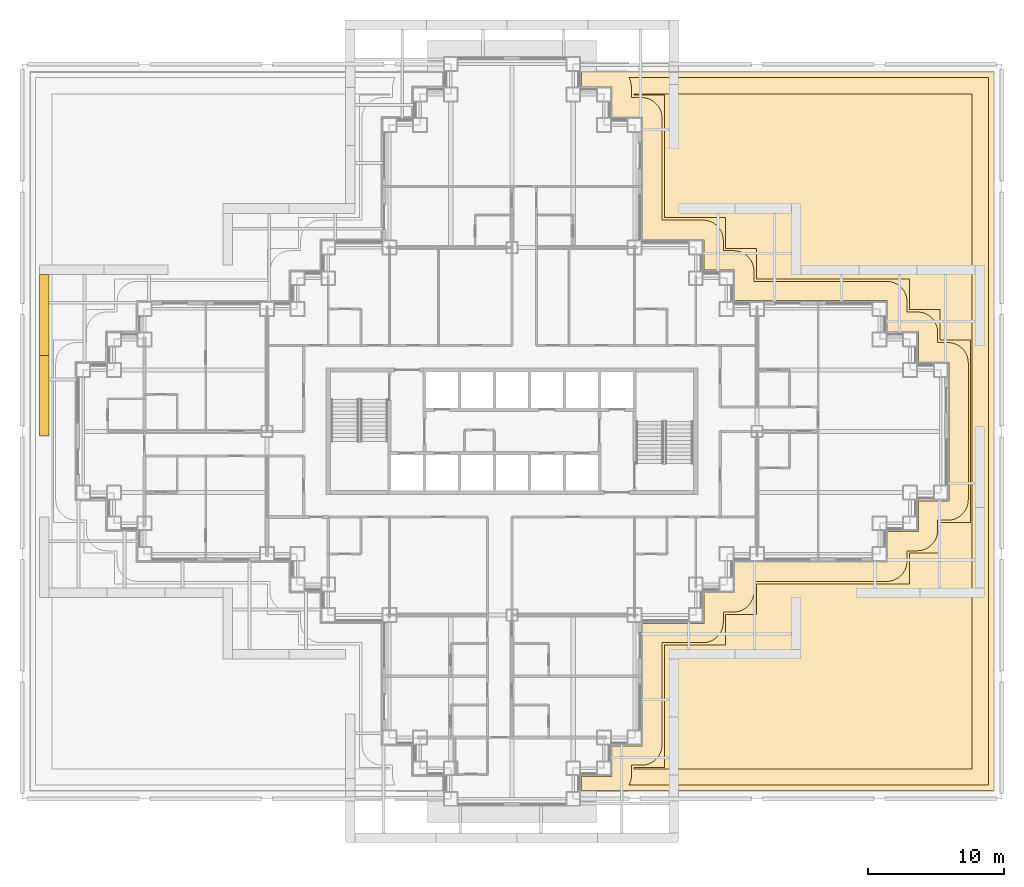
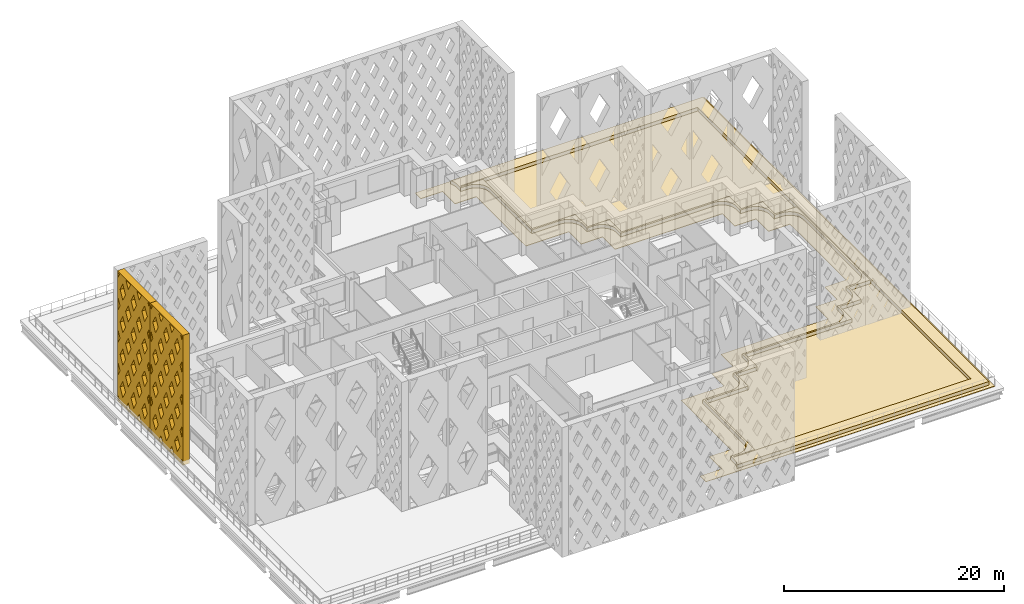
# One storey, part 22 of 26: 3 coverings, 2 shading devices.
"""IFC4 building model written with IfcOpenShell, lengths in metres."""

from ifc_helpers import new_model, si_unit, direction, frame, origin, place, context, subcontext, project, spatial, polyline, outline, extrude, material, layer, layer_set, type_object, element, save


model = new_model("IFC4")

# Units and contexts
model_context = context("Model", 3, precision=1e-05, world=origin(), true_north=direction((0.0, 1.0)))
body_context = subcontext(model_context, "Body", "Model", "MODEL_VIEW")
ifc_project = project(units=[si_unit("LENGTHUNIT", "METRE"), si_unit("AREAUNIT", "SQUARE_METRE"), si_unit("VOLUMEUNIT", "CUBIC_METRE"), si_unit("PLANEANGLEUNIT", "RADIAN"), si_unit("MASSUNIT", "GRAM", prefix="KILO")], contexts=[model_context])

# Site, building, storey
site_placement = place(None, origin())
site = spatial("IfcSite", under=ifc_project, at=site_placement, CompositionType="ELEMENT")
building_placement = place(site_placement, origin())
building = spatial("IfcBuilding", under=site, at=building_placement, Name="Caravel Reach Hotel and Residences", CompositionType="ELEMENT")
storey_placement = place(building_placement, frame((0.0, 0.0, 33.60009765625)))
storey = spatial("IfcBuildingStorey", under=building, at=storey_placement, Name="L06", CompositionType="ELEMENT", Elevation=33.60009765625)

# Shading devices
ifc_material_1 = material(Name="Black powder-coated aluminium", Category="aluminium")
shading_device_type = type_object("IfcShadingDeviceType", Name="Diamond lattice screen panel 5937 x 14400", PredefinedType="USERDEFINED", material=ifc_material_1)
shading_device_1_placement = place(storey_placement, frame((-2.52490234375, 38.52490234375, 0.0), z_axis=(-1.0, 0.0, 0.0), x_axis=(0.0, -1.0, 0.0)))
element("IfcShadingDevice", 1, at=shading_device_1_placement, inside=storey, type_object=shading_device_type, Name="Lattice screen L06-L09 17.1", ObjectType="SCREEN", PredefinedType="USERDEFINED", context=body_context, shape_type="SweptSolid", body=[
    extrude(outline(polyline([(0.0, 0.0), (5.9375, 0.0), (5.9375, 14.39990234375), (0.0, 14.39990234375), (0.0, 0.0)]), holes=[polyline([(0.412353515625, 0.14990234375), (0.14990234375, 0.626953125), (0.14990234375, 0.14990234375), (0.412353515625, 0.14990234375)]), polyline([(0.49462890625, 3.60009765625), (0.14990234375, 4.22705078125), (0.14990234375, 2.972900390625), (0.49462890625, 3.60009765625)]), polyline([(0.49462890625, 7.199951171875), (0.14990234375, 7.826904296875), (0.14990234375, 6.572998046875), (0.49462890625, 7.199951171875)]), polyline([(0.49462890625, 10.800048828125), (0.14990234375, 11.427001953125), (0.14990234375, 10.173095703125), (0.49462890625, 10.800048828125)]), polyline([(0.14990234375, 13.77294921875), (0.412353515625, 14.25), (0.14990234375, 14.25), (0.14990234375, 13.77294921875)]), polyline([(0.989501953125, 2.699951171875), (0.494873046875, 1.800048828125), (0.989501953125, 0.900146484375), (1.484375, 1.800048828125), (0.989501953125, 2.699951171875)]), polyline([(0.989501953125, 6.2998046875), (0.494873046875, 5.39990234375), (0.989501953125, 4.500244140625), (1.484375, 5.39990234375), (0.989501953125, 6.2998046875)]), polyline([(0.989501953125, 9.89990234375), (0.494873046875, 9.0), (0.989501953125, 8.10009765625), (1.484375, 9.0), (0.989501953125, 9.89990234375)]), polyline([(0.989501953125, 13.499755859375), (0.494873046875, 12.60009765625), (0.989501953125, 11.7001953125), (1.484375, 12.60009765625), (0.989501953125, 13.499755859375)]), polyline([(1.979248046875, 0.89990234375), (1.56689453125, 0.14990234375), (2.391357421875, 0.14990234375), (1.979248046875, 0.89990234375)]), polyline([(1.979248046875, 4.499755859375), (1.484375, 3.60009765625), (1.979248046875, 2.7001953125), (2.473876953125, 3.60009765625), (1.979248046875, 4.499755859375)]), polyline([(1.979248046875, 8.099853515625), (1.484375, 7.199951171875), (1.979248046875, 6.300048828125), (2.473876953125, 7.199951171875), (1.979248046875, 8.099853515625)]), polyline([(1.979248046875, 11.699951171875), (1.484375, 10.800048828125), (1.979248046875, 9.900146484375), (2.473876953125, 10.800048828125), (1.979248046875, 11.699951171875)]), polyline([(1.979248046875, 13.500244140625), (2.391357421875, 14.25), (1.56689453125, 14.25), (1.979248046875, 13.500244140625)]), polyline([(2.96875, 2.699951171875), (2.47412109375, 1.800048828125), (2.96875, 0.900146484375), (3.46337890625, 1.800048828125), (2.96875, 2.699951171875)]), polyline([(2.96875, 6.2998046875), (2.47412109375, 5.39990234375), (2.96875, 4.500244140625), (3.46337890625, 5.39990234375), (2.96875, 6.2998046875)]), polyline([(2.96875, 9.89990234375), (2.47412109375, 9.0), (2.96875, 8.10009765625), (3.46337890625, 9.0), (2.96875, 9.89990234375)]), polyline([(2.96875, 13.499755859375), (2.47412109375, 12.60009765625), (2.96875, 11.7001953125), (3.46337890625, 12.60009765625), (2.96875, 13.499755859375)]), polyline([(3.958251953125, 0.89990234375), (3.546142578125, 0.14990234375), (4.37060546875, 0.14990234375), (3.958251953125, 0.89990234375)]), polyline([(3.958251953125, 4.499755859375), (3.463623046875, 3.60009765625), (3.958251953125, 2.7001953125), (4.453125, 3.60009765625), (3.958251953125, 4.499755859375)]), polyline([(3.958251953125, 8.099853515625), (3.463623046875, 7.199951171875), (3.958251953125, 6.300048828125), (4.453125, 7.199951171875), (3.958251953125, 8.099853515625)]), polyline([(3.958251953125, 11.699951171875), (3.463623046875, 10.800048828125), (3.958251953125, 9.900146484375), (4.453125, 10.800048828125), (3.958251953125, 11.699951171875)]), polyline([(3.958251953125, 13.500244140625), (4.37060546875, 14.25), (3.546142578125, 14.25), (3.958251953125, 13.500244140625)]), polyline([(4.947998046875, 2.699951171875), (4.453125, 1.800048828125), (4.947998046875, 0.900146484375), (5.442626953125, 1.800048828125), (4.947998046875, 2.699951171875)]), polyline([(4.947998046875, 6.2998046875), (4.453125, 5.39990234375), (4.947998046875, 4.500244140625), (5.442626953125, 5.39990234375), (4.947998046875, 6.2998046875)]), polyline([(4.947998046875, 9.89990234375), (4.453125, 9.0), (4.947998046875, 8.10009765625), (5.442626953125, 9.0), (4.947998046875, 9.89990234375)]), polyline([(4.947998046875, 13.499755859375), (4.453125, 12.60009765625), (4.947998046875, 11.7001953125), (5.442626953125, 12.60009765625), (4.947998046875, 13.499755859375)]), polyline([(5.78759765625, 0.626953125), (5.525146484375, 0.14990234375), (5.78759765625, 0.14990234375), (5.78759765625, 0.626953125)]), polyline([(5.44287109375, 3.60009765625), (5.78759765625, 2.972900390625), (5.78759765625, 4.22705078125), (5.44287109375, 3.60009765625)]), polyline([(5.44287109375, 7.199951171875), (5.78759765625, 6.572998046875), (5.78759765625, 7.826904296875), (5.44287109375, 7.199951171875)]), polyline([(5.44287109375, 10.800048828125), (5.78759765625, 10.173095703125), (5.78759765625, 11.427001953125), (5.44287109375, 10.800048828125)]), polyline([(5.525146484375, 14.25), (5.78759765625, 13.77294921875), (5.78759765625, 14.25), (5.525146484375, 14.25)])]), origin(), (0.0, 0.0, 1.0), 0.7001953125),
])
shading_device_2_placement = place(storey_placement, frame((-2.52490234375, 32.58740234375, 0.0), z_axis=(-1.0, 0.0, 0.0), x_axis=(0.0, -1.0, 0.0)))
element("IfcShadingDevice", 2, at=shading_device_2_placement, inside=storey, type_object=shading_device_type, Name="Lattice screen L06-L09 17.2", ObjectType="SCREEN", PredefinedType="USERDEFINED", context=body_context, shape_type="SweptSolid", body=[
    extrude(outline(polyline([(0.0, 0.0), (5.9375, 0.0), (5.9375, 14.39990234375), (0.0, 14.39990234375), (0.0, 0.0)]), holes=[polyline([(0.412353515625, 0.14990234375), (0.14990234375, 0.626953125), (0.14990234375, 0.14990234375), (0.412353515625, 0.14990234375)]), polyline([(0.49462890625, 3.60009765625), (0.14990234375, 4.22705078125), (0.14990234375, 2.972900390625), (0.49462890625, 3.60009765625)]), polyline([(0.49462890625, 7.199951171875), (0.14990234375, 7.826904296875), (0.14990234375, 6.572998046875), (0.49462890625, 7.199951171875)]), polyline([(0.49462890625, 10.800048828125), (0.14990234375, 11.427001953125), (0.14990234375, 10.173095703125), (0.49462890625, 10.800048828125)]), polyline([(0.14990234375, 13.77294921875), (0.412353515625, 14.25), (0.14990234375, 14.25), (0.14990234375, 13.77294921875)]), polyline([(0.989501953125, 2.699951171875), (0.494873046875, 1.800048828125), (0.989501953125, 0.900146484375), (1.484375, 1.800048828125), (0.989501953125, 2.699951171875)]), polyline([(0.989501953125, 6.2998046875), (0.494873046875, 5.39990234375), (0.989501953125, 4.500244140625), (1.484375, 5.39990234375), (0.989501953125, 6.2998046875)]), polyline([(0.989501953125, 9.89990234375), (0.494873046875, 9.0), (0.989501953125, 8.10009765625), (1.484375, 9.0), (0.989501953125, 9.89990234375)]), polyline([(0.989501953125, 13.499755859375), (0.494873046875, 12.60009765625), (0.989501953125, 11.7001953125), (1.484375, 12.60009765625), (0.989501953125, 13.499755859375)]), polyline([(1.979248046875, 0.89990234375), (1.56689453125, 0.14990234375), (2.391357421875, 0.14990234375), (1.979248046875, 0.89990234375)]), polyline([(1.979248046875, 4.499755859375), (1.484375, 3.60009765625), (1.979248046875, 2.7001953125), (2.473876953125, 3.60009765625), (1.979248046875, 4.499755859375)]), polyline([(1.979248046875, 8.099853515625), (1.484375, 7.199951171875), (1.979248046875, 6.300048828125), (2.473876953125, 7.199951171875), (1.979248046875, 8.099853515625)]), polyline([(1.979248046875, 11.699951171875), (1.484375, 10.800048828125), (1.979248046875, 9.900146484375), (2.473876953125, 10.800048828125), (1.979248046875, 11.699951171875)]), polyline([(1.979248046875, 13.500244140625), (2.391357421875, 14.25), (1.56689453125, 14.25), (1.979248046875, 13.500244140625)]), polyline([(2.96875, 2.699951171875), (2.47412109375, 1.800048828125), (2.96875, 0.900146484375), (3.46337890625, 1.800048828125), (2.96875, 2.699951171875)]), polyline([(2.96875, 6.2998046875), (2.47412109375, 5.39990234375), (2.96875, 4.500244140625), (3.46337890625, 5.39990234375), (2.96875, 6.2998046875)]), polyline([(2.96875, 9.89990234375), (2.47412109375, 9.0), (2.96875, 8.10009765625), (3.46337890625, 9.0), (2.96875, 9.89990234375)]), polyline([(2.96875, 13.499755859375), (2.47412109375, 12.60009765625), (2.96875, 11.7001953125), (3.46337890625, 12.60009765625), (2.96875, 13.499755859375)]), polyline([(3.958251953125, 0.89990234375), (3.546142578125, 0.14990234375), (4.37060546875, 0.14990234375), (3.958251953125, 0.89990234375)]), polyline([(3.958251953125, 4.499755859375), (3.463623046875, 3.60009765625), (3.958251953125, 2.7001953125), (4.453125, 3.60009765625), (3.958251953125, 4.499755859375)]), polyline([(3.958251953125, 8.099853515625), (3.463623046875, 7.199951171875), (3.958251953125, 6.300048828125), (4.453125, 7.199951171875), (3.958251953125, 8.099853515625)]), polyline([(3.958251953125, 11.699951171875), (3.463623046875, 10.800048828125), (3.958251953125, 9.900146484375), (4.453125, 10.800048828125), (3.958251953125, 11.699951171875)]), polyline([(3.958251953125, 13.500244140625), (4.37060546875, 14.25), (3.546142578125, 14.25), (3.958251953125, 13.500244140625)]), polyline([(4.947998046875, 2.699951171875), (4.453125, 1.800048828125), (4.947998046875, 0.900146484375), (5.442626953125, 1.800048828125), (4.947998046875, 2.699951171875)]), polyline([(4.947998046875, 6.2998046875), (4.453125, 5.39990234375), (4.947998046875, 4.500244140625), (5.442626953125, 5.39990234375), (4.947998046875, 6.2998046875)]), polyline([(4.947998046875, 9.89990234375), (4.453125, 9.0), (4.947998046875, 8.10009765625), (5.442626953125, 9.0), (4.947998046875, 9.89990234375)]), polyline([(4.947998046875, 13.499755859375), (4.453125, 12.60009765625), (4.947998046875, 11.7001953125), (5.442626953125, 12.60009765625), (4.947998046875, 13.499755859375)]), polyline([(5.78759765625, 0.626953125), (5.525146484375, 0.14990234375), (5.78759765625, 0.14990234375), (5.78759765625, 0.626953125)]), polyline([(5.44287109375, 3.60009765625), (5.78759765625, 2.972900390625), (5.78759765625, 4.22705078125), (5.44287109375, 3.60009765625)]), polyline([(5.44287109375, 7.199951171875), (5.78759765625, 6.572998046875), (5.78759765625, 7.826904296875), (5.44287109375, 7.199951171875)]), polyline([(5.44287109375, 10.800048828125), (5.78759765625, 10.173095703125), (5.78759765625, 11.427001953125), (5.44287109375, 10.800048828125)]), polyline([(5.525146484375, 14.25), (5.78759765625, 13.77294921875), (5.78759765625, 14.25), (5.525146484375, 14.25)])]), origin(), (0.0, 0.0, 1.0), 0.7001953125),
])

# Coverings
ifc_material_2 = material(Name="Planting soil in aluminium planter", Category="aluminium")
covering_type_1 = type_object("IfcCoveringType", Name="PL1 Planter bed 1200", PredefinedType="USERDEFINED", material=ifc_material_2)
covering_1_placement = place(storey_placement, origin())
element("IfcCovering", 3, at=covering_1_placement, inside=storey, type_object=covering_type_1, Name="Planter podium terrace 1.1", ObjectType="PLANTER", PredefinedType="USERDEFINED", context=body_context, shape_type="SweptSolid", body=[
    extrude(outline(polyline([(40.087158203125, 1.0), (66.5, 1.0), (66.5, 53.0), (40.087158203125, 53.0), (40.097900390625, 52.982177734375), (40.160888671875, 52.84912109375), (40.21044921875, 52.71044921875), (40.24609375, 52.567626953125), (40.267822265625, 52.422119140625), (40.27490234375, 52.27490234375), (40.27490234375, 51.52490234375), (41.02490234375, 51.52490234375), (41.172119140625, 51.517822265625), (41.317626953125, 51.49609375), (41.46044921875, 51.46044921875), (41.59912109375, 51.410888671875), (41.732177734375, 51.347900390625), (41.8583984375, 51.272216796875), (41.9765625, 51.1845703125), (42.085693359375, 51.085693359375), (42.1845703125, 50.9765625), (42.272216796875, 50.8583984375), (42.347900390625, 50.732177734375), (42.410888671875, 50.59912109375), (42.46044921875, 50.46044921875), (42.49609375, 50.317626953125), (42.517822265625, 50.172119140625), (42.52490234375, 50.02490234375), (42.52490234375, 42.52490234375), (45.52490234375, 42.52490234375), (45.672119140625, 42.517822265625), (45.817626953125, 42.49609375), (45.96044921875, 42.46044921875), (46.09912109375, 42.410888671875), (46.232177734375, 42.347900390625), (46.3583984375, 42.272216796875), (46.4765625, 42.1845703125), (46.585693359375, 42.085693359375), (46.6845703125, 41.9765625), (46.772216796875, 41.8583984375), (46.847900390625, 41.732177734375), (46.910888671875, 41.59912109375), (46.96044921875, 41.46044921875), (46.99609375, 41.317626953125), (47.017822265625, 41.172119140625), (47.02490234375, 41.02490234375), (47.02490234375, 40.27490234375), (47.77490234375, 40.27490234375), (47.922119140625, 40.267822265625), (48.067626953125, 40.24609375), (48.21044921875, 40.21044921875), (48.34912109375, 40.160888671875), (48.482177734375, 40.097900390625), (48.6083984375, 40.022216796875), (48.7265625, 39.9345703125), (48.835693359375, 39.835693359375), (48.9345703125, 39.7265625), (49.022216796875, 39.6083984375), (49.097900390625, 39.482177734375), (49.160888671875, 39.34912109375), (49.21044921875, 39.21044921875), (49.24609375, 39.067626953125), (49.267822265625, 38.922119140625), (49.27490234375, 38.77490234375), (49.27490234375, 38.02490234375), (59.02490234375, 38.02490234375), (59.172119140625, 38.017822265625), (59.317626953125, 37.99609375), (59.46044921875, 37.96044921875), (59.59912109375, 37.910888671875), (59.732177734375, 37.847900390625), (59.8583984375, 37.772216796875), (59.9765625, 37.6845703125), (60.085693359375, 37.585693359375), (60.1845703125, 37.4765625), (60.272216796875, 37.3583984375), (60.347900390625, 37.232177734375), (60.410888671875, 37.09912109375), (60.46044921875, 36.96044921875), (60.49609375, 36.817626953125), (60.517822265625, 36.672119140625), (60.52490234375, 36.52490234375), (60.52490234375, 35.77490234375), (61.27490234375, 35.77490234375), (61.422119140625, 35.767822265625), (61.567626953125, 35.74609375), (61.71044921875, 35.71044921875), (61.84912109375, 35.660888671875), (61.982177734375, 35.597900390625), (62.1083984375, 35.522216796875), (62.2265625, 35.4345703125), (62.335693359375, 35.335693359375), (62.4345703125, 35.2265625), (62.522216796875, 35.1083984375), (62.597900390625, 34.982177734375), (62.660888671875, 34.84912109375), (62.71044921875, 34.71044921875), (62.74609375, 34.567626953125), (62.767822265625, 34.422119140625), (62.77490234375, 34.27490234375), (62.77490234375, 33.52490234375), (63.52490234375, 33.52490234375), (63.672119140625, 33.517822265625), (63.817626953125, 33.49609375), (63.96044921875, 33.46044921875), (64.09912109375, 33.410888671875), (64.232177734375, 33.347900390625), (64.3583984375, 33.272216796875), (64.4765625, 33.1845703125), (64.585693359375, 33.085693359375), (64.6845703125, 32.9765625), (64.772216796875, 32.8583984375), (64.847900390625, 32.732177734375), (64.910888671875, 32.59912109375), (64.96044921875, 32.46044921875), (64.99609375, 32.317626953125), (65.017822265625, 32.172119140625), (65.02490234375, 32.02490234375), (65.02490234375, 21.97509765625), (65.017822265625, 21.827880859375), (64.99609375, 21.682373046875), (64.96044921875, 21.53955078125), (64.910888671875, 21.40087890625), (64.847900390625, 21.267822265625), (64.772216796875, 21.1416015625), (64.6845703125, 21.0234375), (64.585693359375, 20.914306640625), (64.4765625, 20.8154296875), (64.3583984375, 20.727783203125), (64.232177734375, 20.652099609375), (64.09912109375, 20.589111328125), (63.96044921875, 20.53955078125), (63.817626953125, 20.50390625), (63.672119140625, 20.482177734375), (63.52490234375, 20.47509765625), (62.77490234375, 20.47509765625), (62.77490234375, 19.72509765625), (62.767822265625, 19.577880859375), (62.74609375, 19.432373046875), (62.71044921875, 19.28955078125), (62.660888671875, 19.15087890625), (62.597900390625, 19.017822265625), (62.522216796875, 18.8916015625), (62.4345703125, 18.7734375), (62.335693359375, 18.664306640625), (62.2265625, 18.5654296875), (62.1083984375, 18.477783203125), (61.982177734375, 18.402099609375), (61.84912109375, 18.339111328125), (61.71044921875, 18.28955078125), (61.567626953125, 18.25390625), (61.422119140625, 18.232177734375), (61.27490234375, 18.22509765625), (60.52490234375, 18.22509765625), (60.52490234375, 17.47509765625), (60.517822265625, 17.327880859375), (60.49609375, 17.182373046875), (60.46044921875, 17.03955078125), (60.410888671875, 16.90087890625), (60.347900390625, 16.767822265625), (60.272216796875, 16.6416015625), (60.1845703125, 16.5234375), (60.085693359375, 16.414306640625), (59.9765625, 16.3154296875), (59.8583984375, 16.227783203125), (59.732177734375, 16.152099609375), (59.59912109375, 16.089111328125), (59.46044921875, 16.03955078125), (59.317626953125, 16.00390625), (59.172119140625, 15.982177734375), (59.02490234375, 15.97509765625), (49.27490234375, 15.97509765625), (49.27490234375, 15.22509765625), (49.267822265625, 15.077880859375), (49.24609375, 14.932373046875), (49.21044921875, 14.78955078125), (49.160888671875, 14.65087890625), (49.097900390625, 14.517822265625), (49.022216796875, 14.3916015625), (48.9345703125, 14.2734375), (48.835693359375, 14.164306640625), (48.7265625, 14.0654296875), (48.6083984375, 13.977783203125), (48.482177734375, 13.902099609375), (48.34912109375, 13.839111328125), (48.21044921875, 13.78955078125), (48.067626953125, 13.75390625), (47.922119140625, 13.732177734375), (47.77490234375, 13.72509765625), (47.02490234375, 13.72509765625), (47.02490234375, 12.97509765625), (47.017822265625, 12.827880859375), (46.99609375, 12.682373046875), (46.96044921875, 12.53955078125), (46.910888671875, 12.40087890625), (46.847900390625, 12.267822265625), (46.772216796875, 12.1416015625), (46.6845703125, 12.0234375), (46.585693359375, 11.914306640625), (46.4765625, 11.8154296875), (46.3583984375, 11.727783203125), (46.232177734375, 11.652099609375), (46.09912109375, 11.589111328125), (45.96044921875, 11.53955078125), (45.817626953125, 11.50390625), (45.672119140625, 11.482177734375), (45.52490234375, 11.47509765625), (42.52490234375, 11.47509765625), (42.52490234375, 3.97509765625), (42.517822265625, 3.827880859375), (42.49609375, 3.682373046875), (42.46044921875, 3.53955078125), (42.410888671875, 3.40087890625), (42.347900390625, 3.267822265625), (42.272216796875, 3.1416015625), (42.1845703125, 3.0234375), (42.085693359375, 2.914306640625), (41.9765625, 2.8154296875), (41.8583984375, 2.727783203125), (41.732177734375, 2.652099609375), (41.59912109375, 2.589111328125), (41.46044921875, 2.53955078125), (41.317626953125, 2.50390625), (41.172119140625, 2.482177734375), (41.02490234375, 2.47509765625), (40.27490234375, 2.47509765625), (40.27490234375, 1.72509765625), (40.267822265625, 1.577880859375), (40.24609375, 1.432373046875), (40.21044921875, 1.28955078125), (40.160888671875, 1.15087890625), (40.097900390625, 1.017822265625), (40.087158203125, 1.0)]), holes=[polyline([(65.300048828125, 51.800048828125), (65.300048828125, 2.199951171875), (40.449951171875, 2.199951171875), (40.449951171875, 2.300048828125), (42.699951171875, 2.300048828125), (42.699951171875, 11.300048828125), (47.199951171875, 11.300048828125), (47.199951171875, 13.550048828125), (49.449951171875, 13.550048828125), (49.449951171875, 15.800048828125), (60.699951171875, 15.800048828125), (60.699951171875, 18.050048828125), (62.949951171875, 18.050048828125), (62.949951171875, 20.300048828125), (65.199951171875, 20.300048828125), (65.199951171875, 33.699951171875), (62.949951171875, 33.699951171875), (62.949951171875, 35.949951171875), (60.699951171875, 35.949951171875), (60.699951171875, 38.199951171875), (49.449951171875, 38.199951171875), (49.449951171875, 40.449951171875), (47.199951171875, 40.449951171875), (47.199951171875, 42.699951171875), (42.699951171875, 42.699951171875), (42.699951171875, 51.699951171875), (40.449951171875, 51.699951171875), (40.449951171875, 51.800048828125), (65.300048828125, 51.800048828125)])]), origin(), (0.0, 0.0, 1.0), 0.449951171875),
])
ifc_material_3 = material(Name="Porcelain paving")
ifc_layer = layer(ifc_material_3, 0.050048828125)
ifc_layer_set = layer_set([ifc_layer], Name="TF1 Terrace paving finish 50")
covering_type_2 = type_object("IfcCoveringType", Name="TF1 Terrace paving finish 50", PredefinedType="FLOORING", material=ifc_layer_set)
covering_2_placement = place(storey_placement, origin())
element("IfcCovering", 4, at=covering_2_placement, inside=storey, type_object=covering_type_2, Name="Podium terrace paving 1.1", PredefinedType="FLOORING", context=body_context, shape_type="SweptSolid", body=[
    extrude(outline(polyline([(66.89990234375, 0.60009765625), (66.89990234375, 53.39990234375), (36.60009765625, 53.39990234375), (36.60009765625, 52.35009765625), (38.85009765625, 52.35009765625), (38.85009765625, 50.10009765625), (41.10009765625, 50.10009765625), (41.10009765625, 41.10009765625), (45.60009765625, 41.10009765625), (45.60009765625, 38.85009765625), (47.85009765625, 38.85009765625), (47.85009765625, 36.60009765625), (59.10009765625, 36.60009765625), (59.10009765625, 34.35009765625), (61.35009765625, 34.35009765625), (61.35009765625, 32.10009765625), (63.60009765625, 32.10009765625), (63.60009765625, 21.89990234375), (61.35009765625, 21.89990234375), (61.35009765625, 19.64990234375), (59.10009765625, 19.64990234375), (59.10009765625, 17.39990234375), (47.85009765625, 17.39990234375), (47.85009765625, 15.14990234375), (45.60009765625, 15.14990234375), (45.60009765625, 12.89990234375), (41.10009765625, 12.89990234375), (41.10009765625, 3.89990234375), (38.85009765625, 3.89990234375), (38.85009765625, 1.64990234375), (36.60009765625, 1.64990234375), (36.60009765625, 0.60009765625), (66.89990234375, 0.60009765625)]), holes=[polyline([(66.5, 1.0), (40.087158203125, 1.0), (40.097900390625, 1.017822265625), (40.160888671875, 1.15087890625), (40.21044921875, 1.28955078125), (40.24609375, 1.432373046875), (40.267822265625, 1.577880859375), (40.27490234375, 1.72509765625), (40.27490234375, 2.47509765625), (41.02490234375, 2.47509765625), (41.172119140625, 2.482177734375), (41.317626953125, 2.50390625), (41.46044921875, 2.53955078125), (41.59912109375, 2.589111328125), (41.732177734375, 2.652099609375), (41.8583984375, 2.727783203125), (41.9765625, 2.8154296875), (42.085693359375, 2.914306640625), (42.1845703125, 3.0234375), (42.272216796875, 3.1416015625), (42.347900390625, 3.267822265625), (42.410888671875, 3.40087890625), (42.46044921875, 3.53955078125), (42.49609375, 3.682373046875), (42.517822265625, 3.827880859375), (42.52490234375, 3.97509765625), (42.52490234375, 11.47509765625), (45.52490234375, 11.47509765625), (45.672119140625, 11.482177734375), (45.817626953125, 11.50390625), (45.96044921875, 11.53955078125), (46.09912109375, 11.589111328125), (46.232177734375, 11.652099609375), (46.3583984375, 11.727783203125), (46.4765625, 11.8154296875), (46.585693359375, 11.914306640625), (46.6845703125, 12.0234375), (46.772216796875, 12.1416015625), (46.847900390625, 12.267822265625), (46.910888671875, 12.40087890625), (46.96044921875, 12.53955078125), (46.99609375, 12.682373046875), (47.017822265625, 12.827880859375), (47.02490234375, 12.97509765625), (47.02490234375, 13.72509765625), (47.77490234375, 13.72509765625), (47.922119140625, 13.732177734375), (48.067626953125, 13.75390625), (48.21044921875, 13.78955078125), (48.34912109375, 13.839111328125), (48.482177734375, 13.902099609375), (48.6083984375, 13.977783203125), (48.7265625, 14.0654296875), (48.835693359375, 14.164306640625), (48.9345703125, 14.2734375), (49.022216796875, 14.3916015625), (49.097900390625, 14.517822265625), (49.160888671875, 14.65087890625), (49.21044921875, 14.78955078125), (49.24609375, 14.932373046875), (49.267822265625, 15.077880859375), (49.27490234375, 15.22509765625), (49.27490234375, 15.97509765625), (59.02490234375, 15.97509765625), (59.172119140625, 15.982177734375), (59.317626953125, 16.00390625), (59.46044921875, 16.03955078125), (59.59912109375, 16.089111328125), (59.732177734375, 16.152099609375), (59.8583984375, 16.227783203125), (59.9765625, 16.3154296875), (60.085693359375, 16.414306640625), (60.1845703125, 16.5234375), (60.272216796875, 16.6416015625), (60.347900390625, 16.767822265625), (60.410888671875, 16.90087890625), (60.46044921875, 17.03955078125), (60.49609375, 17.182373046875), (60.517822265625, 17.327880859375), (60.52490234375, 17.47509765625), (60.52490234375, 18.22509765625), (61.27490234375, 18.22509765625), (61.422119140625, 18.232177734375), (61.567626953125, 18.25390625), (61.71044921875, 18.28955078125), (61.84912109375, 18.339111328125), (61.982177734375, 18.402099609375), (62.1083984375, 18.477783203125), (62.2265625, 18.5654296875), (62.335693359375, 18.664306640625), (62.4345703125, 18.7734375), (62.522216796875, 18.8916015625), (62.597900390625, 19.017822265625), (62.660888671875, 19.15087890625), (62.71044921875, 19.28955078125), (62.74609375, 19.432373046875), (62.767822265625, 19.577880859375), (62.77490234375, 19.72509765625), (62.77490234375, 20.47509765625), (63.52490234375, 20.47509765625), (63.672119140625, 20.482177734375), (63.817626953125, 20.50390625), (63.96044921875, 20.53955078125), (64.09912109375, 20.589111328125), (64.232177734375, 20.652099609375), (64.3583984375, 20.727783203125), (64.4765625, 20.8154296875), (64.585693359375, 20.914306640625), (64.6845703125, 21.0234375), (64.772216796875, 21.1416015625), (64.847900390625, 21.267822265625), (64.910888671875, 21.40087890625), (64.96044921875, 21.53955078125), (64.99609375, 21.682373046875), (65.017822265625, 21.827880859375), (65.02490234375, 21.97509765625), (65.02490234375, 32.02490234375), (65.017822265625, 32.172119140625), (64.99609375, 32.317626953125), (64.96044921875, 32.46044921875), (64.910888671875, 32.59912109375), (64.847900390625, 32.732177734375), (64.772216796875, 32.8583984375), (64.6845703125, 32.9765625), (64.585693359375, 33.085693359375), (64.4765625, 33.1845703125), (64.3583984375, 33.272216796875), (64.232177734375, 33.347900390625), (64.09912109375, 33.410888671875), (63.96044921875, 33.46044921875), (63.817626953125, 33.49609375), (63.672119140625, 33.517822265625), (63.52490234375, 33.52490234375), (62.77490234375, 33.52490234375), (62.77490234375, 34.27490234375), (62.767822265625, 34.422119140625), (62.74609375, 34.567626953125), (62.71044921875, 34.71044921875), (62.660888671875, 34.84912109375), (62.597900390625, 34.982177734375), (62.522216796875, 35.1083984375), (62.4345703125, 35.2265625), (62.335693359375, 35.335693359375), (62.2265625, 35.4345703125), (62.1083984375, 35.522216796875), (61.982177734375, 35.597900390625), (61.84912109375, 35.660888671875), (61.71044921875, 35.71044921875), (61.567626953125, 35.74609375), (61.422119140625, 35.767822265625), (61.27490234375, 35.77490234375), (60.52490234375, 35.77490234375), (60.52490234375, 36.52490234375), (60.517822265625, 36.672119140625), (60.49609375, 36.817626953125), (60.46044921875, 36.96044921875), (60.410888671875, 37.09912109375), (60.347900390625, 37.232177734375), (60.272216796875, 37.3583984375), (60.1845703125, 37.4765625), (60.085693359375, 37.585693359375), (59.9765625, 37.6845703125), (59.8583984375, 37.772216796875), (59.732177734375, 37.847900390625), (59.59912109375, 37.910888671875), (59.46044921875, 37.96044921875), (59.317626953125, 37.99609375), (59.172119140625, 38.017822265625), (59.02490234375, 38.02490234375), (49.27490234375, 38.02490234375), (49.27490234375, 38.77490234375), (49.267822265625, 38.922119140625), (49.24609375, 39.067626953125), (49.21044921875, 39.21044921875), (49.160888671875, 39.34912109375), (49.097900390625, 39.482177734375), (49.022216796875, 39.6083984375), (48.9345703125, 39.7265625), (48.835693359375, 39.835693359375), (48.7265625, 39.9345703125), (48.6083984375, 40.022216796875), (48.482177734375, 40.097900390625), (48.34912109375, 40.160888671875), (48.21044921875, 40.21044921875), (48.067626953125, 40.24609375), (47.922119140625, 40.267822265625), (47.77490234375, 40.27490234375), (47.02490234375, 40.27490234375), (47.02490234375, 41.02490234375), (47.017822265625, 41.172119140625), (46.99609375, 41.317626953125), (46.96044921875, 41.46044921875), (46.910888671875, 41.59912109375), (46.847900390625, 41.732177734375), (46.772216796875, 41.8583984375), (46.6845703125, 41.9765625), (46.585693359375, 42.085693359375), (46.4765625, 42.1845703125), (46.3583984375, 42.272216796875), (46.232177734375, 42.347900390625), (46.09912109375, 42.410888671875), (45.96044921875, 42.46044921875), (45.817626953125, 42.49609375), (45.672119140625, 42.517822265625), (45.52490234375, 42.52490234375), (42.52490234375, 42.52490234375), (42.52490234375, 50.02490234375), (42.517822265625, 50.172119140625), (42.49609375, 50.317626953125), (42.46044921875, 50.46044921875), (42.410888671875, 50.59912109375), (42.347900390625, 50.732177734375), (42.272216796875, 50.8583984375), (42.1845703125, 50.9765625), (42.085693359375, 51.085693359375), (41.9765625, 51.1845703125), (41.8583984375, 51.272216796875), (41.732177734375, 51.347900390625), (41.59912109375, 51.410888671875), (41.46044921875, 51.46044921875), (41.317626953125, 51.49609375), (41.172119140625, 51.517822265625), (41.02490234375, 51.52490234375), (40.27490234375, 51.52490234375), (40.27490234375, 52.27490234375), (40.267822265625, 52.422119140625), (40.24609375, 52.567626953125), (40.21044921875, 52.71044921875), (40.160888671875, 52.84912109375), (40.097900390625, 52.982177734375), (40.087158203125, 53.0), (66.5, 53.0), (66.5, 1.0)])]), origin(), (0.0, 0.0, 1.0), 0.0498046875),
])
covering_3_placement = place(storey_placement, origin())
element("IfcCovering", 5, at=covering_3_placement, inside=storey, type_object=covering_type_2, Name="Podium terrace paving 1.2", PredefinedType="FLOORING", context=body_context, shape_type="SweptSolid", body=[
    extrude(outline(polyline([(65.300048828125, 2.199951171875), (65.300048828125, 51.800048828125), (40.449951171875, 51.800048828125), (40.449951171875, 51.699951171875), (42.699951171875, 51.699951171875), (42.699951171875, 42.699951171875), (47.199951171875, 42.699951171875), (47.199951171875, 40.449951171875), (49.449951171875, 40.449951171875), (49.449951171875, 38.199951171875), (60.699951171875, 38.199951171875), (60.699951171875, 35.949951171875), (62.949951171875, 35.949951171875), (62.949951171875, 33.699951171875), (65.199951171875, 33.699951171875), (65.199951171875, 20.300048828125), (62.949951171875, 20.300048828125), (62.949951171875, 18.050048828125), (60.699951171875, 18.050048828125), (60.699951171875, 15.800048828125), (49.449951171875, 15.800048828125), (49.449951171875, 13.550048828125), (47.199951171875, 13.550048828125), (47.199951171875, 11.300048828125), (42.699951171875, 11.300048828125), (42.699951171875, 2.300048828125), (40.449951171875, 2.300048828125), (40.449951171875, 2.199951171875), (65.300048828125, 2.199951171875)])), origin(), (0.0, 0.0, 1.0), 0.0498046875),
])

save(model, "model.ifc")
